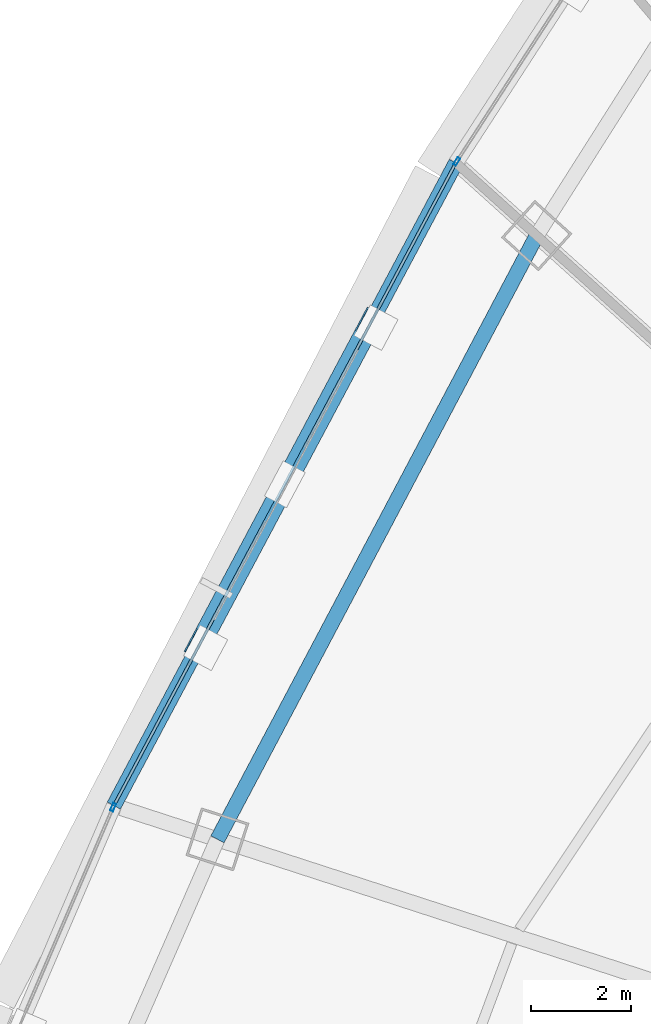
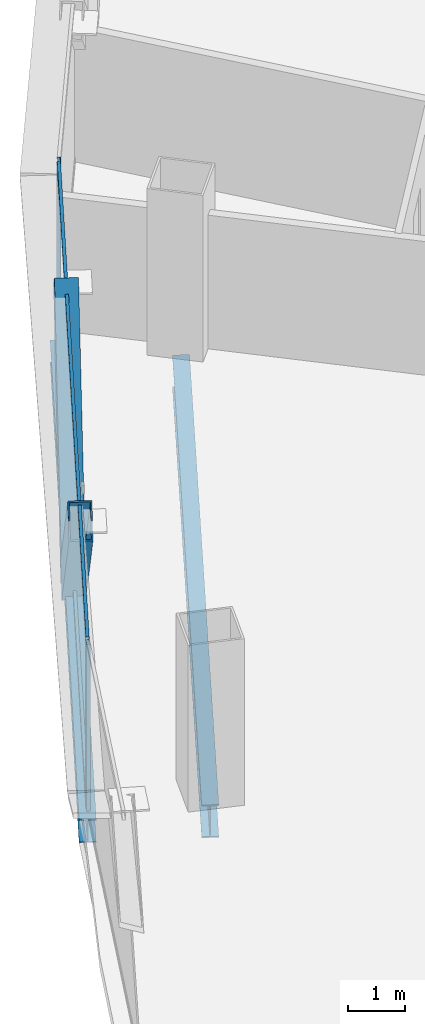
# One storey, part 14 of 37: 6 members, 2 beams, 3 elements without a shape of their own.
"""IFC4 building model written with IfcOpenShell, lengths in metres."""

from ifc_helpers import new_model, si_unit, direction, frame, origin, origin_2d, place, context, subcontext, project, spatial, hollow_rectangle, i_section, extrude, source, transform, mapped, material, layer, layer_set, material_profile, profile_set, type_object, element, aggregate, save


model = new_model("IFC4")

# Units and contexts
model_context = context("Model", 3, precision=1e-05, world=origin(), true_north=direction((0.0, 1.0)))
body_context = subcontext(model_context, "Body", "Model", "MODEL_VIEW")
ifc_project = project(units=[si_unit("LENGTHUNIT", "METRE"), si_unit("AREAUNIT", "SQUARE_METRE"), si_unit("VOLUMEUNIT", "CUBIC_METRE"), si_unit("PLANEANGLEUNIT", "RADIAN"), si_unit("MASSUNIT", "GRAM", prefix="KILO"), si_unit("THERMODYNAMICTEMPERATUREUNIT", "KELVIN"), si_unit("POWERUNIT", "WATT")], contexts=[model_context])

# Site, building, storey
site_placement = place(None, origin())
site = spatial("IfcSite", under=ifc_project, at=site_placement, CompositionType="ELEMENT")
building_placement = place(site_placement, origin())
building = spatial("IfcBuilding", under=site, at=building_placement, Name="Yunzhuo Pagoda Commons", CompositionType="ELEMENT")
storey_placement = place(building_placement, frame((0.0, 0.0, 88.780029296875)))
storey = spatial("IfcBuildingStorey", under=building, at=storey_placement, Name="L22", CompositionType="ELEMENT", Elevation=88.780029296875)

# Beams
ifc_material_1 = material(Name="Structural steel Q355B", Category="steel")
ifc_material_profile_1 = material_profile(ifc_material_1, i_section(OverallWidth=0.300048828125, OverallDepth=0.488037109375, WebThickness=0.010986328125, FlangeThickness=0.01806640625, at=origin_2d()), Name="Structural steel Q355B")
ifc_profile_set_1 = profile_set([ifc_material_profile_1], Name="Structural steel Q355B")
beam_type_1 = type_object("IfcBeamType", Name="B-SP1 Beam HM 488x300x11x18", PredefinedType="BEAM", material=ifc_profile_set_1)
shared_shape_1 = source(origin(), body_context, "Body", "SweptSolid", [
    extrude(i_section(OverallWidth=0.300048828125, OverallDepth=0.488037109375, WebThickness=0.010986328125, FlangeThickness=0.01806640625, at=origin_2d()), origin(), (0.0, 0.0, 1.0), 14.572265625),
])
beam_1_placement = place(storey_placement, frame((21.7802734375, 57.308349609375, -0.504150390625), z_axis=(-0.46974105662, -0.882804247682, 0.0), x_axis=(0.882804247682, -0.46974105662, 0.0)))
element("IfcBeam", 1, at=beam_1_placement, inside=storey, type_object=beam_type_1, Name="L22 facade edge spandrel beam F3.2", PredefinedType="BEAM", context=body_context, shape_type="MappedRepresentation", body=[
    mapped(shared_shape_1, transform((0.0, 0.0, 0.0), scale=1.0)),
])
ifc_material_profile_2 = material_profile(ifc_material_1, i_section(OverallWidth=0.300048828125, OverallDepth=0.699951171875, WebThickness=0.012939453125, FlangeThickness=0.02392578125, at=origin_2d()), Name="Structural steel Q355B")
ifc_profile_set_2 = profile_set([ifc_material_profile_2], Name="Structural steel Q355B")
beam_type_2 = type_object("IfcBeamType", Name="B-RG1 Beam HN 700x300x13x24", PredefinedType="BEAM", material=ifc_profile_set_2)
shared_shape_2 = source(origin(), body_context, "Body", "SweptSolid", [
    extrude(i_section(OverallWidth=0.300048828125, OverallDepth=0.699951171875, WebThickness=0.012939453125, FlangeThickness=0.02392578125, at=origin_2d()), origin(), (0.0, 0.0, 1.0), 13.66748046875),
])
beam_2_placement = place(storey_placement, frame((23.397216796875, 55.852294921875, -0.610107421875), z_axis=(-0.467383716456, -0.88405455804, 0.0), x_axis=(0.88405455804, -0.467383716456, 0.0)))
element("IfcBeam", 2, at=beam_2_placement, inside=storey, type_object=beam_type_2, Name="L22 column-ring beam 10", PredefinedType="BEAM", context=body_context, shape_type="MappedRepresentation", body=[
    mapped(shared_shape_2, transform((0.0, 0.0, 0.0), scale=1.0)),
])

# Members
ifc_material_2 = material(Name="Structural steel Q420B", Category="steel")
ifc_material_profile_3 = material_profile(ifc_material_2, hollow_rectangle(XDim=0.419921875, YDim=0.719970703125, WallThickness=0.028076171875, at=origin_2d()), Name="Structural steel Q420B")
ifc_profile_set_3 = profile_set([ifc_material_profile_3], Name="Structural steel Q420B")
member_type_1 = type_object("IfcMemberType", Name="M-DL1 Brace BOX 720x420x28", PredefinedType="BRACE", material=ifc_profile_set_3)
shared_shape_3 = source(origin(), body_context, "Body", "SweptSolid", [
    extrude(hollow_rectangle(XDim=0.419921875, YDim=0.719970703125, WallThickness=0.028076171875, at=origin_2d()), origin(), (0.0, 0.0, 1.0), 5.26416015625),
])
for number, where, z_axis, x_axis, name in (
    (3, (18.357421875, 50.8759765625, -0.259765625), (0.325104572873, 0.610973986166, 0.72181563084), (-0.882801443113, 0.469746327328, 0.0), "L22 facade diamond brace F3.2L"),
    (4, (18.357421875, 50.8759765625, -0.259765625), (-0.325104572873, -0.610973986166, 0.72181563084), (0.882801443113, -0.469746327328, 0.0), "L22 facade diamond brace F3.2R"),
):
    element("IfcMember", number, at=place(storey_placement, frame(where, z_axis=z_axis, x_axis=x_axis)), inside=storey, type_object=member_type_1, Name=name, PredefinedType="BRACE", context=body_context, shape_type="MappedRepresentation", body=[
        mapped(shared_shape_3, transform((0.0, 0.0, 0.0), scale=1.0)),
    ])

# Curtain wall, member
ifc_material_3 = material(Name="Anodized aluminium 6063-T6", Category="aluminium")
ifc_layer = layer(ifc_material_3, 0.1650390625)
ifc_layer_set = layer_set([ifc_layer], Name="Anodized aluminium 6063-T6")
curtain_wall_type = type_object("IfcCurtainWallType", Name="CW-LOW Low-Zone Ribbon Curtain Wall", PredefinedType="NOTDEFINED", material=ifc_layer_set)
curtain_wall_1_placement = place(storey_placement, origin())
curtain_wall_1 = element("IfcCurtainWall", 5, at=curtain_wall_1_placement, inside=storey, type_object=curtain_wall_type, Name="L22 curtain wall CW-L22-F3B2", PredefinedType="NOTDEFINED")
ifc_material_profile_4 = material_profile(ifc_material_3, hollow_rectangle(XDim=0.06494140625, YDim=0.1650390625, WallThickness=0.00390625, at=origin_2d()), Name="Anodized aluminium 6063-T6")
ifc_profile_set_4 = profile_set([ifc_material_profile_4], Name="Anodized aluminium 6063-T6")
member_type_2 = type_object("IfcMemberType", Name="CW-LOW-M Mullion RHS 165x65x4", PredefinedType="MULLION", material=ifc_profile_set_4)
shared_shape_4 = source(origin(), body_context, "Body", "SweptSolid", [
    extrude(hollow_rectangle(XDim=0.06494140625, YDim=0.1650390625, WallThickness=0.00390625, at=origin_2d()), origin(), (0.0, 0.0, 1.0), 3.5400390625),
])
member_1_placement = place(storey_placement, frame((21.7978515625, 57.335693359375, 0.0), z_axis=(0.0, 0.0, 1.0), x_axis=(0.838906636672, -0.544275348466, 0.0)))
member_1 = element("IfcMember", 6, at=member_1_placement, type_object=member_type_2, Name="CW mullion 2", PredefinedType="MULLION", context=body_context, shape_type="MappedRepresentation", body=[
    mapped(shared_shape_4, transform((0.0, 0.0, 0.0), scale=1.0)),
])
aggregate(curtain_wall_1, [member_1])

curtain_wall_2_placement = place(storey_placement, origin())
curtain_wall_2 = element("IfcCurtainWall", 7, at=curtain_wall_2_placement, inside=storey, type_object=curtain_wall_type, Name="L22 curtain wall CW-L22-F3B4", PredefinedType="NOTDEFINED")
member_2_placement = place(storey_placement, frame((14.922119140625, 44.41357421875, 0.0), z_axis=(0.0, 0.0, 1.0), x_axis=(0.919250024103, -0.39367422215, 0.0)))
member_2 = element("IfcMember", 8, at=member_2_placement, type_object=member_type_2, Name="CW mullion 1", PredefinedType="MULLION", context=body_context, shape_type="MappedRepresentation", body=[
    mapped(shared_shape_4, transform((0.0, 0.0, 0.0), scale=1.0)),
])
aggregate(curtain_wall_2, [member_2])

# Curtain wall, members
curtain_wall_3_placement = place(storey_placement, origin())
curtain_wall_3 = element("IfcCurtainWall", 9, at=curtain_wall_3_placement, inside=storey, type_object=curtain_wall_type, Name="L22 curtain wall CW-L22-F3B3", PredefinedType="NOTDEFINED")
ifc_material_profile_5 = material_profile(ifc_material_3, hollow_rectangle(XDim=0.06005859375, YDim=0.139892578125, WallThickness=0.00341796875, at=origin_2d()), Name="Anodized aluminium 6063-T6")
ifc_profile_set_5 = profile_set([ifc_material_profile_5], Name="Anodized aluminium 6063-T6")
member_type_3 = type_object("IfcMemberType", Name="CW-LOW-T Transom RHS 140x60x3.5", PredefinedType="USERDEFINED", material=ifc_profile_set_5)
shared_shape_5 = source(origin(), body_context, "Body", "SweptSolid", [
    extrude(hollow_rectangle(XDim=0.06005859375, YDim=0.139892578125, WallThickness=0.00341796875, at=origin_2d()), origin(), (0.0, 0.0, 1.0), 14.442626953125),
])
member_3_placement = place(storey_placement, frame((21.749755859375, 57.2509765625, 0.030029296875), z_axis=(-0.46974837333, -0.882800354414, 0.0), x_axis=(0.882800354414, -0.46974837333, 0.0)))
member_3 = element("IfcMember", 10, at=member_3_placement, type_object=member_type_3, Name="CW transom 1.1", ObjectType="TRANSOM", PredefinedType="USERDEFINED", context=body_context, shape_type="MappedRepresentation", body=[
    mapped(shared_shape_5, transform((0.0, 0.0, 0.0), scale=1.0)),
])
member_4_placement = place(storey_placement, frame((21.749755859375, 57.2509765625, 3.510009765625), z_axis=(-0.46974837333, -0.882800354414, 0.0), x_axis=(0.882800354414, -0.46974837333, 0.0)))
member_4 = element("IfcMember", 11, at=member_4_placement, type_object=member_type_3, Name="CW transom 1.2", ObjectType="TRANSOM", PredefinedType="USERDEFINED", context=body_context, shape_type="MappedRepresentation", body=[
    mapped(shared_shape_5, transform((0.0, 0.0, 0.0), scale=1.0)),
])
aggregate(curtain_wall_3, [member_3, member_4])

save(model, "model.ifc")
